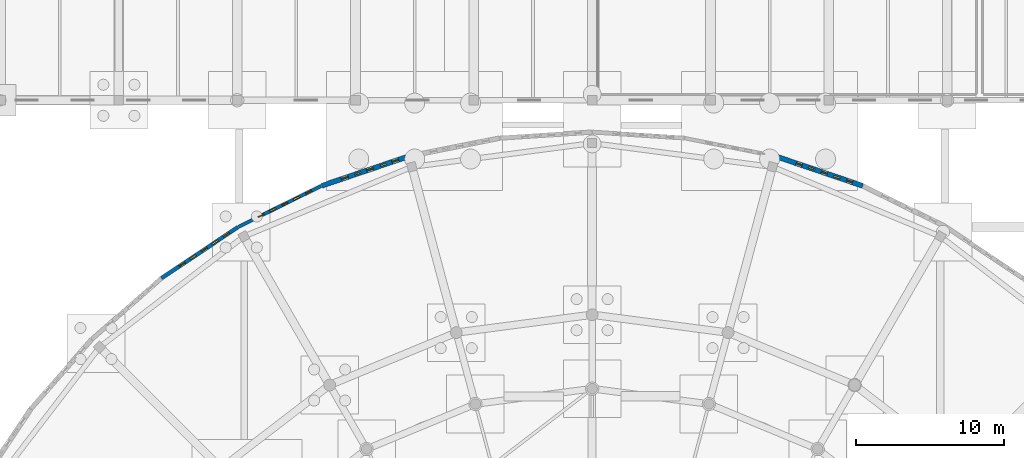
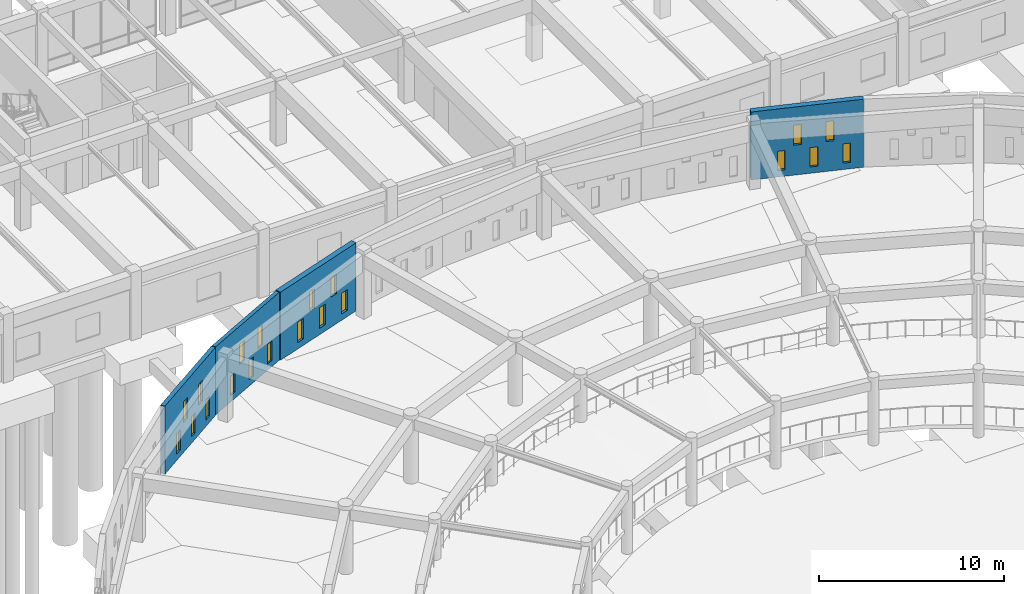
# One storey, part 51 of 84: 20 windows, 4 walls, 20 openings.
"""IFC4 building model written with IfcOpenShell, lengths in metres."""

from ifc_helpers import new_model, si_unit, direction, frame, frame_2d, origin, place, context, subcontext, project, spatial, rectangle, extrude, material, layer, layer_set, type_object, element, fill, save


model = new_model("IFC4")

# Units and contexts
model_context = context("Model", 3, precision=1e-05, world=origin(), true_north=direction((0.0, 1.0)))
body_context = subcontext(model_context, "Body", "Model", "MODEL_VIEW")
ifc_project = project(units=[si_unit("LENGTHUNIT", "METRE"), si_unit("AREAUNIT", "SQUARE_METRE"), si_unit("VOLUMEUNIT", "CUBIC_METRE"), si_unit("PLANEANGLEUNIT", "RADIAN"), si_unit("MASSUNIT", "GRAM", prefix="KILO")], contexts=[model_context])

# Site, building, storey
site_placement = place(None, origin())
site = spatial("IfcSite", under=ifc_project, at=site_placement, CompositionType="ELEMENT")
building_placement = place(site_placement, origin())
building = spatial("IfcBuilding", under=site, at=building_placement, Name="Larkveld Mobility Hub", CompositionType="ELEMENT")
storey_placement = place(building_placement, origin())
storey = spatial("IfcBuildingStorey", under=building, at=storey_placement, Name="L00", CompositionType="ELEMENT", Elevation=0.0)

# Wall, openings, windows
ifc_material_1 = material(Name="Fired clay brick 25 MPa", Category="masonry")
ifc_layer_1 = layer(ifc_material_1, 0.22998046875, Name="Fired clay brick 25 MPa", Category="masonry")
ifc_layer_set_1 = layer_set([ifc_layer_1], Name="Fired clay brick 25 MPa")
wall_type_1 = type_object("IfcWallType", Name="WL-BRK-230", PredefinedType="USERDEFINED", material=ifc_layer_set_1)
wall_1_placement = place(storey_placement, frame((29.6669921875, 92.197021484375, 0.0), z_axis=(0.0, 0.0, 1.0), x_axis=(-0.896858908126, -0.442316740488, 0.0)))
wall_1 = element("IfcWall", 1, at=wall_1_placement, inside=storey, type_object=wall_type_1, Name="Drum Woven Open-Bond Brick Chord L00-0014", ObjectType="PERFORATED BRICK SCREEN", PredefinedType="USERDEFINED", context=body_context, shape_type="SweptSolid", body=[
    extrude(rectangle(XDim=6.210693359375, YDim=0.22998046875, at=frame_2d((3.10546875, 0.0))), origin(), (0.0, 0.0, 1.0), 4.5),
])
opening_1_placement = place(wall_1_placement, frame((0.719970703125, 0.0, 0.419921875)))
opening_1 = element("IfcOpeningElement", 2, at=opening_1_placement, cuts=wall_1, Name="Opening W01", PredefinedType="OPENING", context=body_context, shape_type="SweptSolid", body=[
    extrude(rectangle(XDim=0.419921875, YDim=1.280029296875, at=frame_2d((0.2099609375, 0.64013671875))), frame((0.0, 0.125, 0.0), z_axis=(0.0, -1.0, 0.0), x_axis=(1.0, 0.0, 0.0)), (0.0, 0.0, 1.0), 0.25),
])
opening_2_placement = place(wall_1_placement, frame((2.52001953125, 0.0, 0.419921875)))
opening_2 = element("IfcOpeningElement", 3, at=opening_2_placement, cuts=wall_1, Name="Opening W01", PredefinedType="OPENING", context=body_context, shape_type="SweptSolid", body=[
    extrude(rectangle(XDim=0.419921875, YDim=1.280029296875, at=frame_2d((0.2099609375, 0.64013671875))), frame((0.0, 0.125, 0.0), z_axis=(0.0, -1.0, 0.0), x_axis=(1.0, 0.0, 0.0)), (0.0, 0.0, 1.0), 0.25),
])
opening_3_placement = place(wall_1_placement, frame((4.320068359375, 0.0, 0.419921875)))
opening_3 = element("IfcOpeningElement", 4, at=opening_3_placement, cuts=wall_1, Name="Opening W01", PredefinedType="OPENING", context=body_context, shape_type="SweptSolid", body=[
    extrude(rectangle(XDim=0.419921875, YDim=1.280029296875, at=frame_2d((0.2099609375, 0.64013671875))), frame((0.0, 0.125, 0.0), z_axis=(0.0, -1.0, 0.0), x_axis=(1.0, 0.0, 0.0)), (0.0, 0.0, 1.0), 0.25),
])
opening_4_placement = place(wall_1_placement, frame((1.6201171875, 0.0, 1.97998046875)))
opening_4 = element("IfcOpeningElement", 5, at=opening_4_placement, cuts=wall_1, Name="Opening W02", PredefinedType="OPENING", context=body_context, shape_type="SweptSolid", body=[
    extrude(rectangle(XDim=0.449951171875, YDim=1.320068359375, at=frame_2d((0.22509765625, 0.66015625))), frame((0.0, 0.125, 0.0), z_axis=(0.0, -1.0, 0.0), x_axis=(1.0, 0.0, 0.0)), (0.0, 0.0, 1.0), 0.25),
])
opening_5_placement = place(wall_1_placement, frame((3.419921875, 0.0, 1.97998046875)))
opening_5 = element("IfcOpeningElement", 6, at=opening_5_placement, cuts=wall_1, Name="Opening W02", PredefinedType="OPENING", context=body_context, shape_type="SweptSolid", body=[
    extrude(rectangle(XDim=0.449951171875, YDim=1.320068359375, at=frame_2d((0.22509765625, 0.66015625))), frame((0.0, 0.125, 0.0), z_axis=(0.0, -1.0, 0.0), x_axis=(1.0, 0.0, 0.0)), (0.0, 0.0, 1.0), 0.25),
])
ifc_material_2 = material(Name="Extruded aluminium ventilation grille", Category="aluminium")
window_type_1 = type_object("IfcWindowType", Name="WN-VENT-01", PartitioningType="SINGLE_PANEL", PredefinedType="WINDOW", material=ifc_material_2)
window_1_placement = place(opening_1_placement, origin())
window_1 = element("IfcWindow", 7, at=window_1_placement, inside=storey, type_object=window_type_1, Name="Window W01 (0066)", OverallHeight=1.280029296875, OverallWidth=0.419921875, PartitioningType="SINGLE_PANEL", PredefinedType="WINDOW", context=body_context, shape_type="SweptSolid", body=[
    extrude(rectangle(XDim=0.419921875, YDim=1.280029296875, at=frame_2d((0.2099609375, 0.64013671875))), frame((0.0, 0.030029296875, 0.0), z_axis=(0.0, -1.0, 0.0), x_axis=(1.0, 0.0, 0.0)), (0.0, 0.0, 1.0), 0.06005859375),
])
fill(opening_1, window_1)
window_2_placement = place(opening_2_placement, origin())
window_2 = element("IfcWindow", 8, at=window_2_placement, inside=storey, type_object=window_type_1, Name="Window W01 (0067)", OverallHeight=1.280029296875, OverallWidth=0.419921875, PartitioningType="SINGLE_PANEL", PredefinedType="WINDOW", context=body_context, shape_type="SweptSolid", body=[
    extrude(rectangle(XDim=0.419921875, YDim=1.280029296875, at=frame_2d((0.2099609375, 0.64013671875))), frame((0.0, 0.030029296875, 0.0), z_axis=(0.0, -1.0, 0.0), x_axis=(1.0, 0.0, 0.0)), (0.0, 0.0, 1.0), 0.06005859375),
])
fill(opening_2, window_2)
window_3_placement = place(opening_3_placement, origin())
window_3 = element("IfcWindow", 9, at=window_3_placement, inside=storey, type_object=window_type_1, Name="Window W01 (0068)", OverallHeight=1.280029296875, OverallWidth=0.419921875, PartitioningType="SINGLE_PANEL", PredefinedType="WINDOW", context=body_context, shape_type="SweptSolid", body=[
    extrude(rectangle(XDim=0.419921875, YDim=1.280029296875, at=frame_2d((0.2099609375, 0.64013671875))), frame((0.0, 0.030029296875, 0.0), z_axis=(0.0, -1.0, 0.0), x_axis=(1.0, 0.0, 0.0)), (0.0, 0.0, 1.0), 0.06005859375),
])
fill(opening_3, window_3)
window_type_2 = type_object("IfcWindowType", Name="WN-VENT-02", PartitioningType="SINGLE_PANEL", PredefinedType="WINDOW", material=ifc_material_2)
window_4_placement = place(opening_4_placement, origin())
window_4 = element("IfcWindow", 10, at=window_4_placement, inside=storey, type_object=window_type_2, Name="Window W02 (0069)", OverallHeight=1.320068359375, OverallWidth=0.449951171875, PartitioningType="SINGLE_PANEL", PredefinedType="WINDOW", context=body_context, shape_type="SweptSolid", body=[
    extrude(rectangle(XDim=0.449951171875, YDim=1.320068359375, at=frame_2d((0.22509765625, 0.66015625))), frame((0.0, 0.030029296875, 0.0), z_axis=(0.0, -1.0, 0.0), x_axis=(1.0, 0.0, 0.0)), (0.0, 0.0, 1.0), 0.06005859375),
])
fill(opening_4, window_4)
window_5_placement = place(opening_5_placement, origin())
window_5 = element("IfcWindow", 11, at=window_5_placement, inside=storey, type_object=window_type_2, Name="Window W02 (0070)", OverallHeight=1.320068359375, OverallWidth=0.449951171875, PartitioningType="SINGLE_PANEL", PredefinedType="WINDOW", context=body_context, shape_type="SweptSolid", body=[
    extrude(rectangle(XDim=0.449951171875, YDim=1.320068359375, at=frame_2d((0.22509765625, 0.66015625))), frame((0.0, 0.030029296875, 0.0), z_axis=(0.0, -1.0, 0.0), x_axis=(1.0, 0.0, 0.0)), (0.0, 0.0, 1.0), 0.06005859375),
])
fill(opening_5, window_5)

ifc_layer_2 = layer(ifc_material_1, 0.260009765625, Name="Fired clay brick 25 MPa", Category="masonry")
ifc_layer_set_2 = layer_set([ifc_layer_2], Name="Fired clay brick 25 MPa")
wall_type_2 = type_object("IfcWallType", Name="WL-BRK-260", PredefinedType="USERDEFINED", material=ifc_layer_set_2)
wall_2_placement = place(storey_placement, frame((24.054931640625, 89.426025390625, 0.0), z_axis=(0.0, 0.0, 1.0), x_axis=(-0.831426871608, -0.555634193664, 0.0)))
wall_2 = element("IfcWall", 12, at=wall_2_placement, inside=storey, type_object=wall_type_2, Name="Drum Woven Open-Bond Brick Chord L00-0015", ObjectType="PERFORATED BRICK SCREEN", PredefinedType="USERDEFINED", context=body_context, shape_type="SweptSolid", body=[
    extrude(rectangle(XDim=6.210693359375, YDim=0.260009765625, at=frame_2d((3.10546875, 0.0))), origin(), (0.0, 0.0, 1.0), 4.5),
])
opening_6_placement = place(wall_2_placement, frame((0.719970703125, 0.0, 0.419921875)))
opening_6 = element("IfcOpeningElement", 13, at=opening_6_placement, cuts=wall_2, Name="Opening W02", PredefinedType="OPENING", context=body_context, shape_type="SweptSolid", body=[
    extrude(rectangle(XDim=0.449951171875, YDim=1.320068359375, at=frame_2d((0.22509765625, 0.66015625))), frame((0.0, 0.14013671875, 0.0), z_axis=(0.0, -1.0, 0.0), x_axis=(1.0, 0.0, 0.0)), (0.0, 0.0, 1.0), 0.280029296875),
])
opening_7_placement = place(wall_2_placement, frame((2.52001953125, 0.0, 0.419921875)))
opening_7 = element("IfcOpeningElement", 14, at=opening_7_placement, cuts=wall_2, Name="Opening W02", PredefinedType="OPENING", context=body_context, shape_type="SweptSolid", body=[
    extrude(rectangle(XDim=0.449951171875, YDim=1.320068359375, at=frame_2d((0.22509765625, 0.66015625))), frame((0.0, 0.14013671875, 0.0), z_axis=(0.0, -1.0, 0.0), x_axis=(1.0, 0.0, 0.0)), (0.0, 0.0, 1.0), 0.280029296875),
])
opening_8_placement = place(wall_2_placement, frame((4.320068359375, 0.0, 0.419921875)))
opening_8 = element("IfcOpeningElement", 15, at=opening_8_placement, cuts=wall_2, Name="Opening W02", PredefinedType="OPENING", context=body_context, shape_type="SweptSolid", body=[
    extrude(rectangle(XDim=0.449951171875, YDim=1.320068359375, at=frame_2d((0.22509765625, 0.66015625))), frame((0.0, 0.14013671875, 0.0), z_axis=(0.0, -1.0, 0.0), x_axis=(1.0, 0.0, 0.0)), (0.0, 0.0, 1.0), 0.280029296875),
])
opening_9_placement = place(wall_2_placement, frame((1.6201171875, 0.0, 1.97998046875)))
opening_9 = element("IfcOpeningElement", 16, at=opening_9_placement, cuts=wall_2, Name="Opening W03", PredefinedType="OPENING", context=body_context, shape_type="SweptSolid", body=[
    extrude(rectangle(XDim=0.47998046875, YDim=1.360107421875, at=frame_2d((0.239990234375, 0.68017578125))), frame((0.0, 0.14013671875, 0.0), z_axis=(0.0, -1.0, 0.0), x_axis=(1.0, 0.0, 0.0)), (0.0, 0.0, 1.0), 0.280029296875),
])
opening_10_placement = place(wall_2_placement, frame((3.419921875, 0.0, 1.97998046875)))
opening_10 = element("IfcOpeningElement", 17, at=opening_10_placement, cuts=wall_2, Name="Opening W03", PredefinedType="OPENING", context=body_context, shape_type="SweptSolid", body=[
    extrude(rectangle(XDim=0.47998046875, YDim=1.360107421875, at=frame_2d((0.239990234375, 0.68017578125))), frame((0.0, 0.14013671875, 0.0), z_axis=(0.0, -1.0, 0.0), x_axis=(1.0, 0.0, 0.0)), (0.0, 0.0, 1.0), 0.280029296875),
])
window_6_placement = place(opening_6_placement, origin())
window_6 = element("IfcWindow", 18, at=window_6_placement, inside=storey, type_object=window_type_2, Name="Window W02 (0071)", OverallHeight=1.320068359375, OverallWidth=0.449951171875, PartitioningType="SINGLE_PANEL", PredefinedType="WINDOW", context=body_context, shape_type="SweptSolid", body=[
    extrude(rectangle(XDim=0.449951171875, YDim=1.320068359375, at=frame_2d((0.22509765625, 0.66015625))), frame((0.0, 0.030029296875, 0.0), z_axis=(0.0, -1.0, 0.0), x_axis=(1.0, 0.0, 0.0)), (0.0, 0.0, 1.0), 0.06005859375),
])
fill(opening_6, window_6)
window_7_placement = place(opening_7_placement, origin())
window_7 = element("IfcWindow", 19, at=window_7_placement, inside=storey, type_object=window_type_2, Name="Window W02 (0072)", OverallHeight=1.320068359375, OverallWidth=0.449951171875, PartitioningType="SINGLE_PANEL", PredefinedType="WINDOW", context=body_context, shape_type="SweptSolid", body=[
    extrude(rectangle(XDim=0.449951171875, YDim=1.320068359375, at=frame_2d((0.22509765625, 0.66015625))), frame((0.0, 0.030029296875, 0.0), z_axis=(0.0, -1.0, 0.0), x_axis=(1.0, 0.0, 0.0)), (0.0, 0.0, 1.0), 0.06005859375),
])
fill(opening_7, window_7)
window_8_placement = place(opening_8_placement, origin())
window_8 = element("IfcWindow", 20, at=window_8_placement, inside=storey, type_object=window_type_2, Name="Window W02 (0073)", OverallHeight=1.320068359375, OverallWidth=0.449951171875, PartitioningType="SINGLE_PANEL", PredefinedType="WINDOW", context=body_context, shape_type="SweptSolid", body=[
    extrude(rectangle(XDim=0.449951171875, YDim=1.320068359375, at=frame_2d((0.22509765625, 0.66015625))), frame((0.0, 0.030029296875, 0.0), z_axis=(0.0, -1.0, 0.0), x_axis=(1.0, 0.0, 0.0)), (0.0, 0.0, 1.0), 0.06005859375),
])
fill(opening_8, window_8)
window_type_3 = type_object("IfcWindowType", Name="WN-VENT-03", PartitioningType="SINGLE_PANEL", PredefinedType="WINDOW", material=ifc_material_2)
window_9_placement = place(opening_9_placement, origin())
window_9 = element("IfcWindow", 21, at=window_9_placement, inside=storey, type_object=window_type_3, Name="Window W03 (0074)", OverallHeight=1.360107421875, OverallWidth=0.47998046875, PartitioningType="SINGLE_PANEL", PredefinedType="WINDOW", context=body_context, shape_type="SweptSolid", body=[
    extrude(rectangle(XDim=0.47998046875, YDim=1.360107421875, at=frame_2d((0.239990234375, 0.68017578125))), frame((0.0, 0.030029296875, 0.0), z_axis=(0.0, -1.0, 0.0), x_axis=(1.0, 0.0, 0.0)), (0.0, 0.0, 1.0), 0.06005859375),
])
fill(opening_9, window_9)
window_10_placement = place(opening_10_placement, origin())
window_10 = element("IfcWindow", 22, at=window_10_placement, inside=storey, type_object=window_type_3, Name="Window W03 (0075)", OverallHeight=1.360107421875, OverallWidth=0.47998046875, PartitioningType="SINGLE_PANEL", PredefinedType="WINDOW", context=body_context, shape_type="SweptSolid", body=[
    extrude(rectangle(XDim=0.47998046875, YDim=1.360107421875, at=frame_2d((0.239990234375, 0.68017578125))), frame((0.0, 0.030029296875, 0.0), z_axis=(0.0, -1.0, 0.0), x_axis=(1.0, 0.0, 0.0)), (0.0, 0.0, 1.0), 0.06005859375),
])
fill(opening_10, window_10)

ifc_layer_3 = layer(ifc_material_1, 0.340087890625, Name="Fired clay brick 25 MPa", Category="masonry")
ifc_layer_set_3 = layer_set([ifc_layer_3], Name="Fired clay brick 25 MPa")
wall_type_3 = type_object("IfcWallType", Name="WL-BRK-340", PredefinedType="USERDEFINED", material=ifc_layer_set_3)
wall_3_placement = place(storey_placement, frame((66.2880859375, 92.216064453125, 0.0), z_axis=(0.0, 0.0, 1.0), x_axis=(-0.946955417172, 0.321364960579, 0.0)))
wall_3 = element("IfcWall", 23, at=wall_3_placement, inside=storey, type_object=wall_type_3, Name="Drum Woven Open-Bond Brick Chord L00-0008", ObjectType="PERFORATED BRICK SCREEN", PredefinedType="USERDEFINED", context=body_context, shape_type="SweptSolid", body=[
    extrude(rectangle(XDim=6.21044921875, YDim=0.340087890625, at=frame_2d((3.105224609375, 0.0))), origin(), (0.0, 0.0, 1.0), 4.5),
])
opening_11_placement = place(wall_3_placement, frame((0.719970703125, 0.0, 0.419921875)))
opening_11 = element("IfcOpeningElement", 24, at=opening_11_placement, cuts=wall_3, Name="Opening W01", PredefinedType="OPENING", context=body_context, shape_type="SweptSolid", body=[
    extrude(rectangle(XDim=0.419921875, YDim=1.280029296875, at=frame_2d((0.2099609375, 0.64013671875))), frame((0.0, 0.18017578125, 0.0), z_axis=(0.0, -1.0, 0.0), x_axis=(1.0, 0.0, 0.0)), (0.0, 0.0, 1.0), 0.360107421875),
])
opening_12_placement = place(wall_3_placement, frame((2.52001953125, 0.0, 0.419921875)))
opening_12 = element("IfcOpeningElement", 25, at=opening_12_placement, cuts=wall_3, Name="Opening W01", PredefinedType="OPENING", context=body_context, shape_type="SweptSolid", body=[
    extrude(rectangle(XDim=0.419921875, YDim=1.280029296875, at=frame_2d((0.2099609375, 0.64013671875))), frame((0.0, 0.18017578125, 0.0), z_axis=(0.0, -1.0, 0.0), x_axis=(1.0, 0.0, 0.0)), (0.0, 0.0, 1.0), 0.360107421875),
])
opening_13_placement = place(wall_3_placement, frame((4.320068359375, 0.0, 0.419921875)))
opening_13 = element("IfcOpeningElement", 26, at=opening_13_placement, cuts=wall_3, Name="Opening W01", PredefinedType="OPENING", context=body_context, shape_type="SweptSolid", body=[
    extrude(rectangle(XDim=0.419921875, YDim=1.280029296875, at=frame_2d((0.2099609375, 0.64013671875))), frame((0.0, 0.18017578125, 0.0), z_axis=(0.0, -1.0, 0.0), x_axis=(1.0, 0.0, 0.0)), (0.0, 0.0, 1.0), 0.360107421875),
])
opening_14_placement = place(wall_3_placement, frame((1.6201171875, 0.0, 1.97998046875)))
opening_14 = element("IfcOpeningElement", 27, at=opening_14_placement, cuts=wall_3, Name="Opening W02", PredefinedType="OPENING", context=body_context, shape_type="SweptSolid", body=[
    extrude(rectangle(XDim=0.449951171875, YDim=1.320068359375, at=frame_2d((0.22509765625, 0.66015625))), frame((0.0, 0.18017578125, 0.0), z_axis=(0.0, -1.0, 0.0), x_axis=(1.0, 0.0, 0.0)), (0.0, 0.0, 1.0), 0.360107421875),
])
opening_15_placement = place(wall_3_placement, frame((3.419921875, 0.0, 1.97998046875)))
opening_15 = element("IfcOpeningElement", 28, at=opening_15_placement, cuts=wall_3, Name="Opening W02", PredefinedType="OPENING", context=body_context, shape_type="SweptSolid", body=[
    extrude(rectangle(XDim=0.449951171875, YDim=1.320068359375, at=frame_2d((0.22509765625, 0.66015625))), frame((0.0, 0.18017578125, 0.0), z_axis=(0.0, -1.0, 0.0), x_axis=(1.0, 0.0, 0.0)), (0.0, 0.0, 1.0), 0.360107421875),
])
window_11_placement = place(opening_11_placement, origin())
window_11 = element("IfcWindow", 29, at=window_11_placement, inside=storey, type_object=window_type_1, Name="Window W01 (0036)", OverallHeight=1.280029296875, OverallWidth=0.419921875, PartitioningType="SINGLE_PANEL", PredefinedType="WINDOW", context=body_context, shape_type="SweptSolid", body=[
    extrude(rectangle(XDim=0.419921875, YDim=1.280029296875, at=frame_2d((0.2099609375, 0.64013671875))), frame((0.0, 0.030029296875, 0.0), z_axis=(0.0, -1.0, 0.0), x_axis=(1.0, 0.0, 0.0)), (0.0, 0.0, 1.0), 0.06005859375),
])
fill(opening_11, window_11)
window_12_placement = place(opening_12_placement, origin())
window_12 = element("IfcWindow", 30, at=window_12_placement, inside=storey, type_object=window_type_1, Name="Window W01 (0037)", OverallHeight=1.280029296875, OverallWidth=0.419921875, PartitioningType="SINGLE_PANEL", PredefinedType="WINDOW", context=body_context, shape_type="SweptSolid", body=[
    extrude(rectangle(XDim=0.419921875, YDim=1.280029296875, at=frame_2d((0.2099609375, 0.64013671875))), frame((0.0, 0.030029296875, 0.0), z_axis=(0.0, -1.0, 0.0), x_axis=(1.0, 0.0, 0.0)), (0.0, 0.0, 1.0), 0.06005859375),
])
fill(opening_12, window_12)
window_13_placement = place(opening_13_placement, origin())
window_13 = element("IfcWindow", 31, at=window_13_placement, inside=storey, type_object=window_type_1, Name="Window W01 (0038)", OverallHeight=1.280029296875, OverallWidth=0.419921875, PartitioningType="SINGLE_PANEL", PredefinedType="WINDOW", context=body_context, shape_type="SweptSolid", body=[
    extrude(rectangle(XDim=0.419921875, YDim=1.280029296875, at=frame_2d((0.2099609375, 0.64013671875))), frame((0.0, 0.030029296875, 0.0), z_axis=(0.0, -1.0, 0.0), x_axis=(1.0, 0.0, 0.0)), (0.0, 0.0, 1.0), 0.06005859375),
])
fill(opening_13, window_13)
window_14_placement = place(opening_14_placement, origin())
window_14 = element("IfcWindow", 32, at=window_14_placement, inside=storey, type_object=window_type_2, Name="Window W02 (0039)", OverallHeight=1.320068359375, OverallWidth=0.449951171875, PartitioningType="SINGLE_PANEL", PredefinedType="WINDOW", context=body_context, shape_type="SweptSolid", body=[
    extrude(rectangle(XDim=0.449951171875, YDim=1.320068359375, at=frame_2d((0.22509765625, 0.66015625))), frame((0.0, 0.030029296875, 0.0), z_axis=(0.0, -1.0, 0.0), x_axis=(1.0, 0.0, 0.0)), (0.0, 0.0, 1.0), 0.06005859375),
])
fill(opening_14, window_14)
window_15_placement = place(opening_15_placement, origin())
window_15 = element("IfcWindow", 33, at=window_15_placement, inside=storey, type_object=window_type_2, Name="Window W02 (0040)", OverallHeight=1.320068359375, OverallWidth=0.449951171875, PartitioningType="SINGLE_PANEL", PredefinedType="WINDOW", context=body_context, shape_type="SweptSolid", body=[
    extrude(rectangle(XDim=0.449951171875, YDim=1.320068359375, at=frame_2d((0.22509765625, 0.66015625))), frame((0.0, 0.030029296875, 0.0), z_axis=(0.0, -1.0, 0.0), x_axis=(1.0, 0.0, 0.0)), (0.0, 0.0, 1.0), 0.06005859375),
])
fill(opening_15, window_15)

wall_4_placement = place(storey_placement, frame((35.593017578125, 94.2119140625, 0.0), z_axis=(0.0, 0.0, 1.0), x_axis=(-0.946955417172, -0.321364960579, 0.0)))
wall_4 = element("IfcWall", 34, at=wall_4_placement, inside=storey, type_object=wall_type_3, Name="Drum Woven Open-Bond Brick Chord L00-0013", ObjectType="PERFORATED BRICK SCREEN", PredefinedType="USERDEFINED", context=body_context, shape_type="SweptSolid", body=[
    extrude(rectangle(XDim=6.21044921875, YDim=0.340087890625, at=frame_2d((3.105224609375, 0.0))), origin(), (0.0, 0.0, 1.0), 4.5),
])
opening_16_placement = place(wall_4_placement, frame((0.719970703125, 0.0, 0.419921875)))
opening_16 = element("IfcOpeningElement", 35, at=opening_16_placement, cuts=wall_4, Name="Opening W03", PredefinedType="OPENING", context=body_context, shape_type="SweptSolid", body=[
    extrude(rectangle(XDim=0.47998046875, YDim=1.360107421875, at=frame_2d((0.239990234375, 0.68017578125))), frame((0.0, 0.18017578125, 0.0), z_axis=(0.0, -1.0, 0.0), x_axis=(1.0, 0.0, 0.0)), (0.0, 0.0, 1.0), 0.360107421875),
])
opening_17_placement = place(wall_4_placement, frame((2.52001953125, 0.0, 0.419921875)))
opening_17 = element("IfcOpeningElement", 36, at=opening_17_placement, cuts=wall_4, Name="Opening W03", PredefinedType="OPENING", context=body_context, shape_type="SweptSolid", body=[
    extrude(rectangle(XDim=0.47998046875, YDim=1.360107421875, at=frame_2d((0.239990234375, 0.68017578125))), frame((0.0, 0.18017578125, 0.0), z_axis=(0.0, -1.0, 0.0), x_axis=(1.0, 0.0, 0.0)), (0.0, 0.0, 1.0), 0.360107421875),
])
opening_18_placement = place(wall_4_placement, frame((4.320068359375, 0.0, 0.419921875)))
opening_18 = element("IfcOpeningElement", 37, at=opening_18_placement, cuts=wall_4, Name="Opening W03", PredefinedType="OPENING", context=body_context, shape_type="SweptSolid", body=[
    extrude(rectangle(XDim=0.47998046875, YDim=1.360107421875, at=frame_2d((0.239990234375, 0.68017578125))), frame((0.0, 0.18017578125, 0.0), z_axis=(0.0, -1.0, 0.0), x_axis=(1.0, 0.0, 0.0)), (0.0, 0.0, 1.0), 0.360107421875),
])
opening_19_placement = place(wall_4_placement, frame((1.6201171875, 0.0, 1.97998046875)))
opening_19 = element("IfcOpeningElement", 38, at=opening_19_placement, cuts=wall_4, Name="Opening W01", PredefinedType="OPENING", context=body_context, shape_type="SweptSolid", body=[
    extrude(rectangle(XDim=0.419921875, YDim=1.280029296875, at=frame_2d((0.2099609375, 0.64013671875))), frame((0.0, 0.18017578125, 0.0), z_axis=(0.0, -1.0, 0.0), x_axis=(1.0, 0.0, 0.0)), (0.0, 0.0, 1.0), 0.360107421875),
])
opening_20_placement = place(wall_4_placement, frame((3.419921875, 0.0, 1.97998046875)))
opening_20 = element("IfcOpeningElement", 39, at=opening_20_placement, cuts=wall_4, Name="Opening W01", PredefinedType="OPENING", context=body_context, shape_type="SweptSolid", body=[
    extrude(rectangle(XDim=0.419921875, YDim=1.280029296875, at=frame_2d((0.2099609375, 0.64013671875))), frame((0.0, 0.18017578125, 0.0), z_axis=(0.0, -1.0, 0.0), x_axis=(1.0, 0.0, 0.0)), (0.0, 0.0, 1.0), 0.360107421875),
])
window_16_placement = place(opening_19_placement, origin())
window_16 = element("IfcWindow", 40, at=window_16_placement, inside=storey, type_object=window_type_1, Name="Window W01 (0064)", OverallHeight=1.280029296875, OverallWidth=0.419921875, PartitioningType="SINGLE_PANEL", PredefinedType="WINDOW", context=body_context, shape_type="SweptSolid", body=[
    extrude(rectangle(XDim=0.419921875, YDim=1.280029296875, at=frame_2d((0.2099609375, 0.64013671875))), frame((0.0, 0.030029296875, 0.0), z_axis=(0.0, -1.0, 0.0), x_axis=(1.0, 0.0, 0.0)), (0.0, 0.0, 1.0), 0.06005859375),
])
fill(opening_19, window_16)
window_17_placement = place(opening_20_placement, origin())
window_17 = element("IfcWindow", 41, at=window_17_placement, inside=storey, type_object=window_type_1, Name="Window W01 (0065)", OverallHeight=1.280029296875, OverallWidth=0.419921875, PartitioningType="SINGLE_PANEL", PredefinedType="WINDOW", context=body_context, shape_type="SweptSolid", body=[
    extrude(rectangle(XDim=0.419921875, YDim=1.280029296875, at=frame_2d((0.2099609375, 0.64013671875))), frame((0.0, 0.030029296875, 0.0), z_axis=(0.0, -1.0, 0.0), x_axis=(1.0, 0.0, 0.0)), (0.0, 0.0, 1.0), 0.06005859375),
])
fill(opening_20, window_17)
window_18_placement = place(opening_16_placement, origin())
window_18 = element("IfcWindow", 42, at=window_18_placement, inside=storey, type_object=window_type_3, Name="Window W03 (0061)", OverallHeight=1.360107421875, OverallWidth=0.47998046875, PartitioningType="SINGLE_PANEL", PredefinedType="WINDOW", context=body_context, shape_type="SweptSolid", body=[
    extrude(rectangle(XDim=0.47998046875, YDim=1.360107421875, at=frame_2d((0.239990234375, 0.68017578125))), frame((0.0, 0.030029296875, 0.0), z_axis=(0.0, -1.0, 0.0), x_axis=(1.0, 0.0, 0.0)), (0.0, 0.0, 1.0), 0.06005859375),
])
fill(opening_16, window_18)
window_19_placement = place(opening_17_placement, origin())
window_19 = element("IfcWindow", 43, at=window_19_placement, inside=storey, type_object=window_type_3, Name="Window W03 (0062)", OverallHeight=1.360107421875, OverallWidth=0.47998046875, PartitioningType="SINGLE_PANEL", PredefinedType="WINDOW", context=body_context, shape_type="SweptSolid", body=[
    extrude(rectangle(XDim=0.47998046875, YDim=1.360107421875, at=frame_2d((0.239990234375, 0.68017578125))), frame((0.0, 0.030029296875, 0.0), z_axis=(0.0, -1.0, 0.0), x_axis=(1.0, 0.0, 0.0)), (0.0, 0.0, 1.0), 0.06005859375),
])
fill(opening_17, window_19)
window_20_placement = place(opening_18_placement, origin())
window_20 = element("IfcWindow", 44, at=window_20_placement, inside=storey, type_object=window_type_3, Name="Window W03 (0063)", OverallHeight=1.360107421875, OverallWidth=0.47998046875, PartitioningType="SINGLE_PANEL", PredefinedType="WINDOW", context=body_context, shape_type="SweptSolid", body=[
    extrude(rectangle(XDim=0.47998046875, YDim=1.360107421875, at=frame_2d((0.239990234375, 0.68017578125))), frame((0.0, 0.030029296875, 0.0), z_axis=(0.0, -1.0, 0.0), x_axis=(1.0, 0.0, 0.0)), (0.0, 0.0, 1.0), 0.06005859375),
])
fill(opening_18, window_20)

save(model, "model.ifc")
